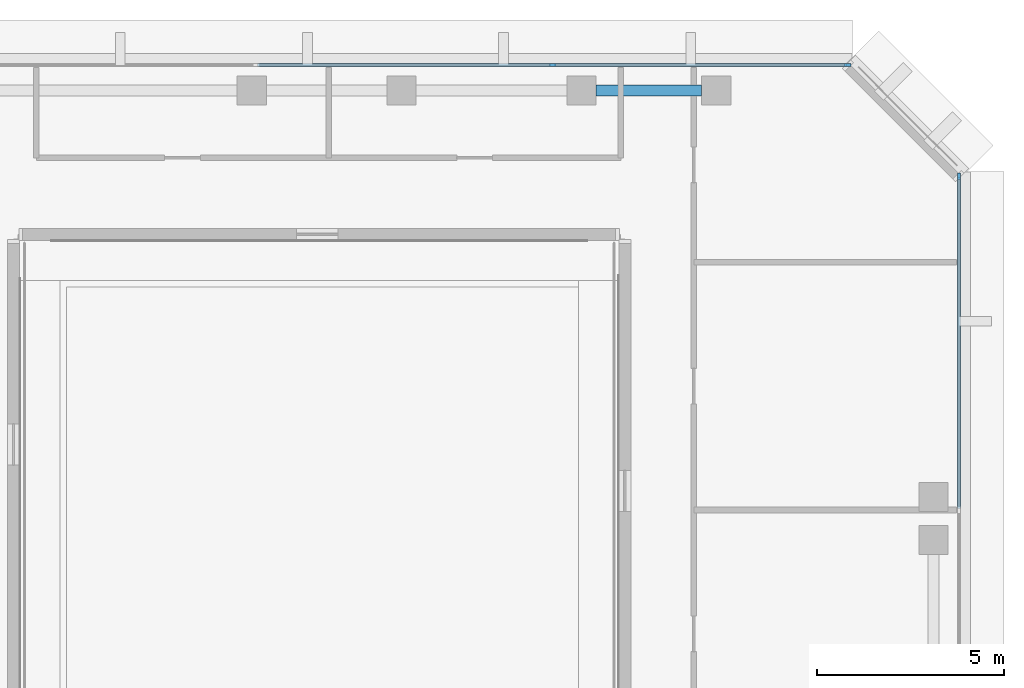
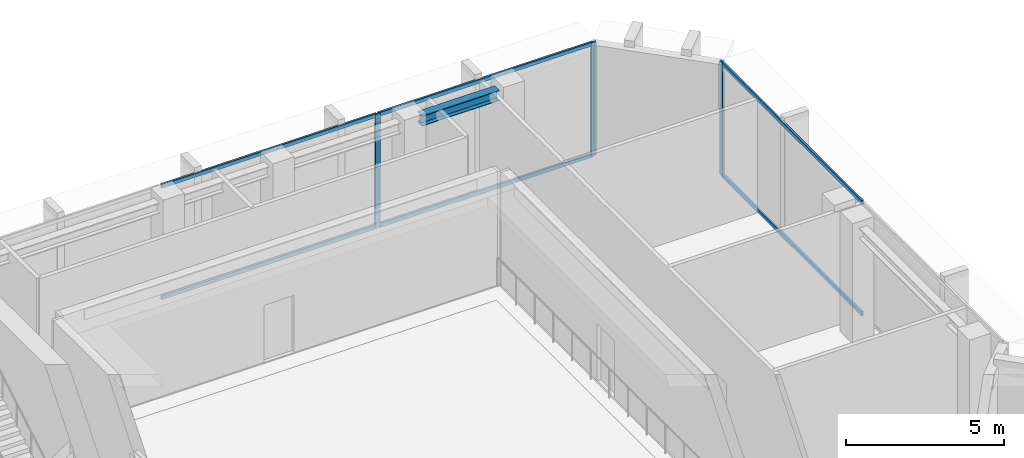
# One storey, part 5 of 12: 9 members, 1 beam, 2 elements without a shape of their own.
"""IFC4 building model written with IfcOpenShell, lengths in metres."""

import ifcopenshell
import ifcopenshell.guid

model = None  # the IFC model being written
_history = None  # IfcOwnerHistory: only IFC2X3 demands one
_inside = {}  # id of a spatial element -> (the spatial element, [elements in it])
_under = {}  # id of a project, library or spatial element -> (it, [spatial elements below it])
_declared = {}  # id of a project -> (the project, [libraries it declares])
_typed = {}  # id of a type object -> (the type object, [elements of that type])
_made_of = {}  # id of a material, layer set ... -> (it, [elements and type objects made of it])


def new_model(schema):
    """Start an empty IFC model of exactly this schema.

    Asked for "IFC4X3", IfcOpenShell would pick the latest addendum, in which some entities
    have other attributes; the version numbers below select the first issue.
    IFC2X3 requires an IfcOwnerHistory on every rooted entity: one is made here for all.
    """
    global model, _history
    if schema == "IFC4X3":
        model = ifcopenshell.file(schema_version=(4, 3, 0, 0))
    else:
        model = ifcopenshell.file(schema=schema)
    _inside.clear()
    _under.clear()
    _declared.clear()
    _typed.clear()
    _made_of.clear()
    _history = None
    if model.schema == "IFC2X3":
        org = make("IfcOrganization", Name="unknown")
        user = make(
            "IfcPersonAndOrganization",
            ThePerson=make("IfcPerson", FamilyName="unknown"),
            TheOrganization=org,
        )
        app = make(
            "IfcApplication",
            ApplicationDeveloper=org,
            Version="unknown",
            ApplicationFullName="unknown",
            ApplicationIdentifier="unknown",
        )
        _history = make(
            "IfcOwnerHistory",
            OwningUser=user,
            OwningApplication=app,
            ChangeAction="ADDED",
            CreationDate=0,
        )
    return model


def make(cls, **values):
    """One entity of the class cls with the attributes given. An attribute that is None is left unset."""
    return model.create_entity(
        cls, **{name: value for name, value in values.items() if value is not None}
    )


def rooted(cls, **values):
    """An entity with a GlobalId (a new one), such as an element, a storey or a relation."""
    return make(cls, GlobalId=ifcopenshell.guid.new(), OwnerHistory=_history, **values)


def si_unit(unit_type, name, prefix=None):
    """IfcSIUnit, for example si_unit("LENGTHUNIT", "METRE", prefix="MILLI")."""
    return make("IfcSIUnit", UnitType=unit_type, Prefix=prefix, Name=name)


def assignment(units):
    """IfcUnitAssignment: the units of a project."""
    return None if units is None else make("IfcUnitAssignment", Units=units)


def point(xyz):
    """IfcCartesianPoint."""
    return None if xyz is None else make("IfcCartesianPoint", Coordinates=xyz)


def direction(xyz):
    """IfcDirection."""
    return None if xyz is None else make("IfcDirection", DirectionRatios=xyz)


def frame(location, z_axis=None, x_axis=None):
    """IfcAxis2Placement3D, a coordinate frame: its origin and axes. An axis left out is left unset."""
    return make(
        "IfcAxis2Placement3D",
        Location=point(location),
        Axis=direction(z_axis),
        RefDirection=direction(x_axis),
    )


def frame_2d(location, x_axis=None):
    """IfcAxis2Placement2D, a coordinate frame in the plane: its origin and x axis."""
    return make(
        "IfcAxis2Placement2D", Location=point(location), RefDirection=direction(x_axis)
    )


def origin():
    """The frame at (0, 0, 0) with its axes left unset."""
    return frame((0.0, 0.0, 0.0))


def origin_2d():
    """The frame at (0, 0) in the plane with its x axis left unset."""
    return frame_2d((0.0, 0.0))


def place(relative_to, where):
    """IfcLocalPlacement: puts the frame where relative to a parent placement (None: the world)."""
    return make(
        "IfcLocalPlacement", PlacementRelTo=relative_to, RelativePlacement=where
    )


def context(
    kind, dimensions, precision=None, world=None, true_north=None, identifier=None
):
    """IfcGeometricRepresentationContext, for example the 3D "Model" context."""
    return make(
        "IfcGeometricRepresentationContext",
        ContextIdentifier=identifier,
        ContextType=kind,
        CoordinateSpaceDimension=dimensions,
        Precision=precision,
        WorldCoordinateSystem=world,
        TrueNorth=true_north,
    )


def subcontext(parent, identifier, kind, view, scale=None):
    """IfcGeometricRepresentationSubContext, for example "Body" below "Model"."""
    return make(
        "IfcGeometricRepresentationSubContext",
        ContextIdentifier=identifier,
        ContextType=kind,
        ParentContext=parent,
        TargetScale=scale,
        TargetView=view,
    )


def project(units=None, contexts=None):
    """IfcProject with its units and contexts."""
    return rooted(
        "IfcProject",
        Name="project",
        RepresentationContexts=contexts,
        UnitsInContext=assignment(units),
    )


def spatial(cls, under=None, at=None, **own):
    """A site, building, storey or space (cls), placed at a placement, below another one or the project."""
    s = rooted(cls, ObjectPlacement=at, **own)
    if under is not None:
        _under.setdefault(under.id(), (under, []))[1].append(s)
    return s


def profile(cls, at=None, kind="AREA", **sizes):
    """A parametric profile (cls). Its sizes go by their IFC names, for example OverallWidth=200.0."""
    return make(cls, ProfileType=kind, Position=at, **sizes)


def rectangle(**sizes):
    """IfcRectangleProfileDef."""
    return profile("IfcRectangleProfileDef", **sizes)


def i_section(**sizes):
    """IfcIShapeProfileDef."""
    return profile("IfcIShapeProfileDef", **sizes)


def extrude(swept, where, along, depth):
    """IfcExtrudedAreaSolid: the profile swept, set in the frame where, extruded along a direction by depth."""
    return make(
        "IfcExtrudedAreaSolid",
        SweptArea=swept,
        Position=where,
        ExtrudedDirection=direction(along),
        Depth=depth,
    )


def shape(context_of_items, identifier, shape_type, items):
    """IfcShapeRepresentation: the items that make up one representation, for example the "Body"."""
    return make(
        "IfcShapeRepresentation",
        ContextOfItems=context_of_items,
        RepresentationIdentifier=identifier,
        RepresentationType=shape_type,
        Items=items,
    )


def material(Name=None, Category=None):
    """IfcMaterial."""
    return make("IfcMaterial", Name=Name, Category=Category)


def layer(
    of_material, thickness, ventilated=None, Name=None, Category=None, Priority=None
):
    """IfcMaterialLayer: one layer of a wall or slab, of a material (None: an air gap)."""
    return make(
        "IfcMaterialLayer",
        Material=of_material,
        LayerThickness=thickness,
        IsVentilated=ventilated,
        Name=Name,
        Category=Category,
        Priority=Priority,
    )


def layer_set(layers, Name=None):
    """IfcMaterialLayerSet."""
    return make("IfcMaterialLayerSet", MaterialLayers=layers, LayerSetName=Name)


def material_profile(
    of_material, cross_section, Name=None, Category=None, Priority=None
):
    """IfcMaterialProfile: a cross section and its material."""
    return make(
        "IfcMaterialProfile",
        Name=Name,
        Material=of_material,
        Profile=cross_section,
        Priority=Priority,
        Category=Category,
    )


def profile_set(profiles, Name=None, composite=None):
    """IfcMaterialProfileSet."""
    return make(
        "IfcMaterialProfileSet",
        Name=Name,
        MaterialProfiles=profiles,
        CompositeProfile=composite,
    )


def made_of(thing, what):
    """Note that an element or type object is made of a material, layer set ...; save() writes the relation."""
    if what is not None:
        _made_of.setdefault(what.id(), (what, []))[1].append(thing)
    return thing


def type_object(cls, material=None, **own):
    """A type object (cls), such as IfcWallType, which elements share."""
    return made_of(rooted(cls, **own), material)


def element(
    cls,
    number,
    at=None,
    inside=None,
    cuts=None,
    type_object=None,
    material=None,
    context=None,
    identifier="Body",
    shape_type=None,
    held_by="IfcProductDefinitionShape",
    body=None,
    shapes=None,
    **own,
):
    """One element of the class cls, such as IfcWall. Its Tag is "e" and its number.

    at: its placement. inside: the storey or other place that contains it. cuts: it is an
    opening in that element (IfcRelVoidsElement). A single representation is given by context,
    identifier, shape_type and body (its items); several are given by shapes. held_by: the class
    of the entity that holds the representations. save() writes the other relations.
    """
    e = rooted(cls, Tag="e%d" % number, ObjectPlacement=at, **own)
    if body is not None:
        shapes = [shape(context, identifier, shape_type, body)]
    if shapes is not None:
        e.Representation = make(held_by, Representations=shapes)
    if inside is not None:
        _inside.setdefault(inside.id(), (inside, []))[1].append(e)
    if cuts is not None:
        rooted(
            "IfcRelVoidsElement", RelatingBuildingElement=cuts, RelatedOpeningElement=e
        )
    if type_object is not None:
        _typed.setdefault(type_object.id(), (type_object, []))[1].append(e)
    return made_of(e, material)


def aggregate(whole, parts):
    """IfcRelAggregates: a whole, such as a stair, and the parts it consists of."""
    return rooted("IfcRelAggregates", RelatingObject=whole, RelatedObjects=parts)


def save(model, path):
    """Write the relations noted so far, then the file.

    IfcRelAggregates (storeys below a building ...), IfcRelContainedInSpatialStructure (elements
    in a storey), IfcRelDefinesByType, IfcRelAssociatesMaterial and IfcRelDeclares: one each for
    every whole, place, type object, material and project.
    """
    for whole, parts in _under.values():
        aggregate(whole, parts)
    for where, things in _inside.values():
        rooted(
            "IfcRelContainedInSpatialStructure",
            RelatedElements=things,
            RelatingStructure=where,
        )
    for kind, things in _typed.values():
        rooted("IfcRelDefinesByType", RelatedObjects=things, RelatingType=kind)
    for what, things in _made_of.values():
        rooted("IfcRelAssociatesMaterial", RelatedObjects=things, RelatingMaterial=what)
    for by, libraries in _declared.values():
        rooted("IfcRelDeclares", RelatingContext=by, RelatedDefinitions=libraries)
    model.write(path)


model = new_model("IFC4")

# Units and contexts
model_context = context("Model", 3, precision=1e-05, world=origin(), true_north=direction((0.0, 1.0)))
body_context = subcontext(model_context, "Body", "Model", "MODEL_VIEW")
ifc_project = project(units=[si_unit("LENGTHUNIT", "METRE"), si_unit("AREAUNIT", "SQUARE_METRE"), si_unit("VOLUMEUNIT", "CUBIC_METRE"), si_unit("PLANEANGLEUNIT", "RADIAN"), si_unit("MASSUNIT", "GRAM", prefix="KILO")], contexts=[model_context])

# Site, building, storey
site_placement = place(None, origin())
site = spatial("IfcSite", under=ifc_project, at=site_placement, CompositionType="ELEMENT")
building_placement = place(site_placement, origin())
building = spatial("IfcBuilding", under=site, at=building_placement, Name="Kefirva Bronze Tower", CompositionType="ELEMENT")
storey_placement = place(building_placement, frame((0.0, 0.0, 215.159912109375)))
storey = spatial("IfcBuildingStorey", under=building, at=storey_placement, Name="L52", CompositionType="ELEMENT", Elevation=215.159912109375)

# Curtain wall, member
ifc_material_1 = material(Name="Bronze anodised aluminium", Category="aluminium")
ifc_layer = layer(ifc_material_1, 0.179931640625, Name="Bronze anodised aluminium")
ifc_layer_set = layer_set([ifc_layer], Name="Bronze anodised aluminium")
curtain_wall_type = type_object("IfcCurtainWallType", Name="Unitised Bronze Ribbon Curtain Wall Zone 3", PredefinedType="USERDEFINED", material=ifc_layer_set)
curtain_wall_1_placement = place(storey_placement, origin())
curtain_wall_1 = element("IfcCurtainWall", 1, at=curtain_wall_1_placement, inside=storey, type_object=curtain_wall_type, Name="L52 Curtain Wall 2", ObjectType="UNITISED CURTAIN WALL", PredefinedType="USERDEFINED")
ifc_material_profile_1 = material_profile(ifc_material_1, rectangle(XDim=0.074951171875, YDim=0.179931640625, at=origin_2d()), Name="ALU 75x180")
ifc_profile_set_1 = profile_set([ifc_material_profile_1], Name="Bronze anodised aluminium")
member_type_1 = type_object("IfcMemberType", Name="Bronze Mullion 75x180", PredefinedType="MULLION", material=ifc_profile_set_1)
member_1_placement = place(storey_placement, frame((50.080078125, 42.907470703125, 0.0), z_axis=(0.0, 0.0, 1.0), x_axis=(-1.0, 0.0, 0.0)))
member_1 = element("IfcMember", 2, at=member_1_placement, type_object=member_type_1, Name="CW-03 mullion 3", PredefinedType="MULLION", context=body_context, shape_type="SweptSolid", body=[
    extrude(rectangle(XDim=0.074951171875, YDim=0.179931640625, at=origin_2d()), origin(), (0.0, 0.0, 1.0), 4.3701171875),
])

# Curtain wall, members
curtain_wall_2_placement = place(storey_placement, origin())
curtain_wall_2 = element("IfcCurtainWall", 3, at=curtain_wall_2_placement, inside=storey, type_object=curtain_wall_type, Name="L52 Curtain Wall 3", ObjectType="UNITISED CURTAIN WALL", PredefinedType="USERDEFINED")
member_2_placement = place(storey_placement, frame((47.107421875, 45.8798828125, 0.0), z_axis=(0.0, 0.0, 1.0), x_axis=(0.0, -1.0, 0.0)))
member_2 = element("IfcMember", 4, at=member_2_placement, type_object=member_type_1, Name="CW-03 mullion 1", PredefinedType="MULLION", context=body_context, shape_type="SweptSolid", body=[
    extrude(rectangle(XDim=0.074951171875, YDim=0.179931640625, at=origin_2d()), origin(), (0.0, 0.0, 1.0), 4.3701171875),
])
member_3_placement = place(storey_placement, frame((39.231689453125, 45.8798828125, 0.0), z_axis=(0.0, 0.0, 1.0), x_axis=(0.0, -1.0, 0.0)))
member_3 = element("IfcMember", 5, at=member_3_placement, type_object=member_type_1, Name="CW-03 mullion 2", PredefinedType="MULLION", context=body_context, shape_type="SweptSolid", body=[
    extrude(rectangle(XDim=0.074951171875, YDim=0.179931640625, at=origin_2d()), origin(), (0.0, 0.0, 1.0), 4.3701171875),
])

# Member
ifc_material_profile_2 = material_profile(ifc_material_1, rectangle(XDim=0.074951171875, YDim=0.14990234375, at=origin_2d()), Name="ALU 75x150")
ifc_profile_set_2 = profile_set([ifc_material_profile_2], Name="Bronze anodised aluminium")
member_type_2 = type_object("IfcMemberType", Name="Bronze Transom 75x150", PredefinedType="USERDEFINED", material=ifc_profile_set_2)
member_4_placement = place(storey_placement, frame((50.080078125, 34.03759765625, 0.03759765625), z_axis=(0.0, 1.0, 0.0), x_axis=(-1.0, 0.0, 0.0)))
member_4 = element("IfcMember", 6, at=member_4_placement, type_object=member_type_2, Name="CW-03 transom 2.1", ObjectType="TRANSOM", PredefinedType="USERDEFINED", context=body_context, shape_type="SweptSolid", body=[
    extrude(rectangle(XDim=0.074951171875, YDim=0.14990234375, at=origin_2d()), origin(), (0.0, 0.0, 1.0), 8.83251953125),
])

member_5_placement = place(storey_placement, frame((50.080078125, 34.03759765625, 4.33251953125), z_axis=(0.0, 1.0, 0.0), x_axis=(-1.0, 0.0, 0.0)))
member_5 = element("IfcMember", 7, at=member_5_placement, type_object=member_type_2, Name="CW-03 transom 2.2", ObjectType="TRANSOM", PredefinedType="USERDEFINED", context=body_context, shape_type="SweptSolid", body=[
    extrude(rectangle(XDim=0.074951171875, YDim=0.14990234375, at=origin_2d()), origin(), (0.0, 0.0, 1.0), 8.83251953125),
])

aggregate(curtain_wall_1, [member_1, member_4, member_5])

member_6_placement = place(storey_placement, frame((47.070068359375, 45.8798828125, 0.03759765625), z_axis=(-1.0, 0.0, 0.0), x_axis=(0.0, -1.0, 0.0)))
member_6 = element("IfcMember", 8, at=member_6_placement, type_object=member_type_2, Name="CW-03 transom 1.1", ObjectType="TRANSOM", PredefinedType="USERDEFINED", context=body_context, shape_type="SweptSolid", body=[
    extrude(rectangle(XDim=0.074951171875, YDim=0.14990234375, at=origin_2d()), origin(), (0.0, 0.0, 1.0), 7.80078125),
])

member_7_placement = place(storey_placement, frame((47.070068359375, 45.8798828125, 4.33251953125), z_axis=(-1.0, 0.0, 0.0), x_axis=(0.0, -1.0, 0.0)))
member_7 = element("IfcMember", 9, at=member_7_placement, type_object=member_type_2, Name="CW-03 transom 1.2", ObjectType="TRANSOM", PredefinedType="USERDEFINED", context=body_context, shape_type="SweptSolid", body=[
    extrude(rectangle(XDim=0.074951171875, YDim=0.14990234375, at=origin_2d()), origin(), (0.0, 0.0, 1.0), 7.80078125),
])

member_8_placement = place(storey_placement, frame((39.194091796875, 45.8798828125, 0.03759765625), z_axis=(-1.0, 0.0, 0.0), x_axis=(0.0, -1.0, 0.0)))
member_8 = element("IfcMember", 10, at=member_8_placement, type_object=member_type_2, Name="CW-03 transom 2.1", ObjectType="TRANSOM", PredefinedType="USERDEFINED", context=body_context, shape_type="SweptSolid", body=[
    extrude(rectangle(XDim=0.074951171875, YDim=0.14990234375, at=origin_2d()), origin(), (0.0, 0.0, 1.0), 7.83837890625),
])

member_9_placement = place(storey_placement, frame((39.194091796875, 45.8798828125, 4.33251953125), z_axis=(-1.0, 0.0, 0.0), x_axis=(0.0, -1.0, 0.0)))
member_9 = element("IfcMember", 11, at=member_9_placement, type_object=member_type_2, Name="CW-03 transom 2.2", ObjectType="TRANSOM", PredefinedType="USERDEFINED", context=body_context, shape_type="SweptSolid", body=[
    extrude(rectangle(XDim=0.074951171875, YDim=0.14990234375, at=origin_2d()), origin(), (0.0, 0.0, 1.0), 7.83837890625),
])

aggregate(curtain_wall_2, [member_2, member_3, member_6, member_7, member_8, member_9])

# Beam
ifc_material_2 = material(Name="Steel S355", Category="steel")
ifc_material_profile_3 = material_profile(ifc_material_2, i_section(OverallWidth=0.300048828125, OverallDepth=0.39990234375, WebThickness=0.013427734375, FlangeThickness=0.02392578125, at=origin_2d()), Name="HEB 400")
ifc_profile_set_3 = profile_set([ifc_material_profile_3], Name="Steel S355")
beam_type = type_object("IfcBeamType", Name="Steel Spandrel HEB 400 Ext", PredefinedType="SPANDREL", material=ifc_profile_set_3)
beam_placement = place(storey_placement, frame((40.389892578125, 45.199951171875, 4.170166015625), z_axis=(1.0, 0.0, 0.0), x_axis=(0.0, 1.0, 0.0)))
element("IfcBeam", 12, at=beam_placement, inside=storey, type_object=beam_type, Name="L52 BM-L52-EW-40-452", PredefinedType="SPANDREL", context=body_context, shape_type="SweptSolid", body=[
    extrude(i_section(OverallWidth=0.300048828125, OverallDepth=0.39990234375, WebThickness=0.013427734375, FlangeThickness=0.02392578125, at=origin_2d()), origin(), (0.0, 0.0, 1.0), 2.820068359375),
])

save(model, "model.ifc")
